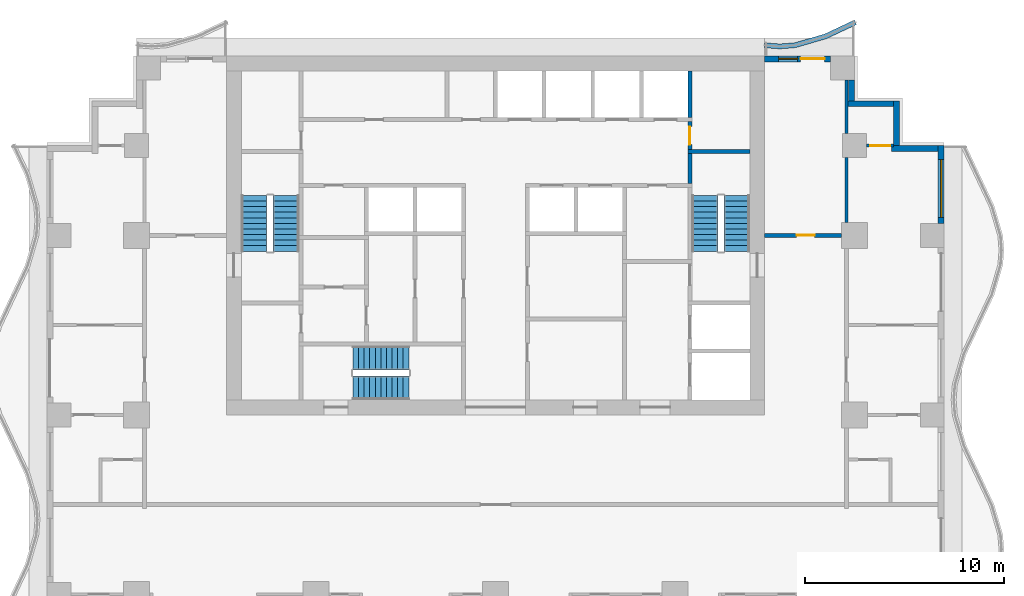
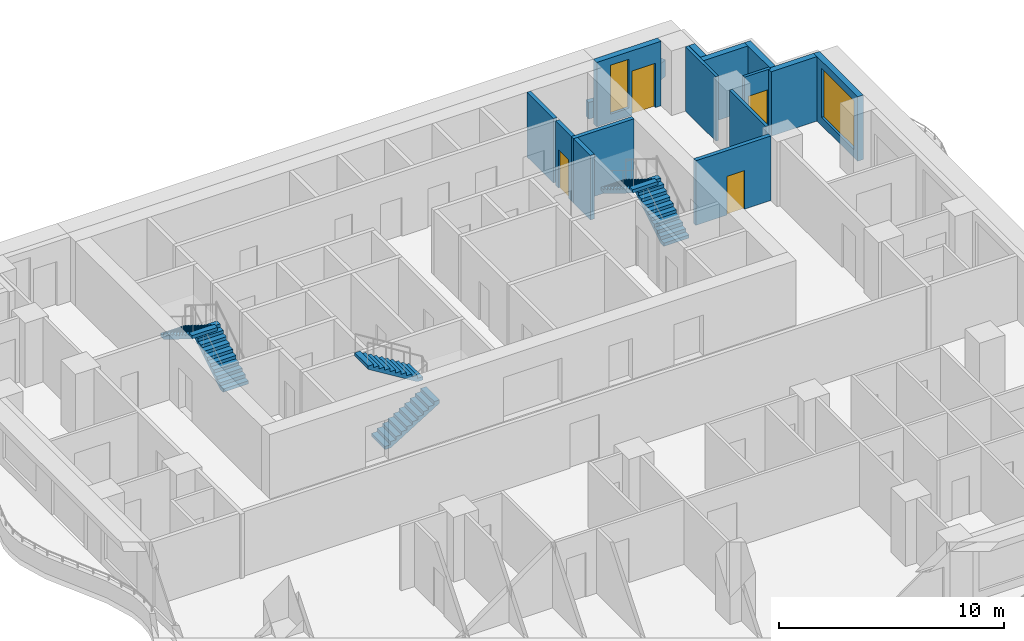
# One storey, part 6 of 10: 15 walls, 6 stair flights, 4 doors, 2 windows, 6 openings, 3 elements without a shape of their own.
"""IFC4 building model written with IfcOpenShell, lengths in metres."""

from ifc_helpers import new_model, si_unit, direction, frame, frame_2d, origin, place, context, subcontext, project, spatial, polyline, rectangle, outline, extrude, material, layer, layer_set, type_object, element, fill, aggregate, save


model = new_model("IFC4")

# Units and contexts
model_context = context("Model", 3, precision=1e-05, world=origin(), true_north=direction((0.0, 1.0)))
body_context = subcontext(model_context, "Body", "Model", "MODEL_VIEW")
ifc_project = project(units=[si_unit("LENGTHUNIT", "METRE"), si_unit("AREAUNIT", "SQUARE_METRE"), si_unit("VOLUMEUNIT", "CUBIC_METRE"), si_unit("PLANEANGLEUNIT", "RADIAN"), si_unit("MASSUNIT", "GRAM", prefix="KILO")], contexts=[model_context])

# Site, building, storey
site_placement = place(None, origin())
site = spatial("IfcSite", under=ifc_project, at=site_placement, CompositionType="ELEMENT")
building_placement = place(site_placement, origin())
building = spatial("IfcBuilding", under=site, at=building_placement, Name="Orbiselva Terraces", CompositionType="ELEMENT")
storey_placement = place(building_placement, frame((0.0, 0.0, 128.8)))
storey = spatial("IfcBuildingStorey", under=building, at=storey_placement, Name="L32", CompositionType="ELEMENT", Elevation=128.8)

# Wall, opening, door
ifc_material_1 = material(Name="Masonry blockwork", Category="masonry")
ifc_layer_1 = layer(ifc_material_1, 0.2)
ifc_layer_set_1 = layer_set([ifc_layer_1], Name="Masonry blockwork")
wall_type_1 = type_object("IfcWallType", Name="CORE-WALL-PARTITION-200", PredefinedType="PARTITIONING", material=ifc_layer_set_1)
wall_1_placement = place(storey_placement, frame((9.75, 19.2, 0.0), z_axis=(0.0, 0.0, 1.0), x_axis=(0.0, -1.0, 0.0)))
wall_1 = element("IfcWall", 1, at=wall_1_placement, inside=storey, type_object=wall_type_1, Name="L32 core wall 50", PredefinedType="PARTITIONING", context=body_context, shape_type="SweptSolid", body=[
    extrude(rectangle(XDim=1.4, YDim=0.2, at=frame_2d((0.7, 0.0))), origin(), (0.0, 0.0, 1.0), 3.5),
])
opening_1_placement = place(wall_1_placement, frame((0.25, 0.0, 0.0)))
opening_1 = element("IfcOpeningElement", 2, at=opening_1_placement, cuts=wall_1, Name="Opening DR900", PredefinedType="OPENING", context=body_context, shape_type="SweptSolid", body=[
    extrude(rectangle(XDim=0.9, YDim=2.1, at=frame_2d((0.45, 1.05))), frame((0.0, 0.11, 0.0), z_axis=(0.0, -1.0, 0.0), x_axis=(1.0, 0.0, 0.0)), (0.0, 0.0, 1.0), 0.22),
])
ifc_material_2 = material(Name="Steel fire door", Category="steel")
door_type_1 = type_object("IfcDoorType", Name="ROOM DOOR 900", OperationType="NOTDEFINED", PredefinedType="DOOR", material=ifc_material_2)
door_1_placement = place(opening_1_placement, origin())
door_1 = element("IfcDoor", 3, at=door_1_placement, inside=storey, type_object=door_type_1, Name="L32 ELECTRICAL RISER ROOM door", OperationType="SINGLE_SWING_RIGHT", OverallHeight=2.1, OverallWidth=0.9, PredefinedType="DOOR", context=body_context, shape_type="SweptSolid", body=[
    extrude(rectangle(XDim=0.9, YDim=2.1, at=frame_2d((0.45, 1.05))), frame((0.0, 0.025, 0.0), z_axis=(0.0, -1.0, 0.0), x_axis=(1.0, 0.0, 0.0)), (0.0, 0.0, 1.0), 0.05),
])
fill(opening_1, door_1)

# Walls
ifc_material_3 = material(Name="Concrete C40/50", Category="concrete")
ifc_layer_2 = layer(ifc_material_3, 0.2)
ifc_layer_set_2 = layer_set([ifc_layer_2], Name="Concrete C40/50")
wall_type_2 = type_object("IfcWallType", Name="CORE-WALL-SHAFT-200", PredefinedType="PARTITIONING", material=ifc_layer_set_2)
wall_2_placement = place(storey_placement, frame((9.75, 19.4, 0.0), z_axis=(0.0, 0.0, 1.0), x_axis=(0.0, 1.0, 0.0)))
element("IfcWall", 4, at=wall_2_placement, inside=storey, type_object=wall_type_2, Name="L32 core wall 51", PredefinedType="PARTITIONING", context=body_context, shape_type="SweptSolid", body=[
    extrude(rectangle(XDim=2.35, YDim=0.2, at=frame_2d((1.175, 0.0))), origin(), (0.0, 0.0, 1.0), 3.5),
])
ifc_material_4 = material(Name="Concrete C60/75", Category="concrete")
ifc_layer_3 = layer(ifc_material_4, 0.2)
ifc_layer_set_3 = layer_set([ifc_layer_3], Name="Concrete C60/75")
wall_type_3 = type_object("IfcWallType", Name="CORE-WALL-SHEAR-200", PredefinedType="SHEAR", material=ifc_layer_set_3)
wall_3_placement = place(storey_placement, frame((9.75, 16.1, 0.0), z_axis=(0.0, 0.0, 1.0), x_axis=(0.0, 1.0, 0.0)))
element("IfcWall", 5, at=wall_3_placement, inside=storey, type_object=wall_type_3, Name="L32 core wall 48", PredefinedType="SHEAR", context=body_context, shape_type="SweptSolid", body=[
    extrude(rectangle(XDim=1.5, YDim=0.2, at=frame_2d((0.75, 0.0))), origin(), (0.0, 0.0, 1.0), 3.5),
])
wall_4_placement = place(storey_placement, frame((9.65, 17.7, 0.0), z_axis=(0.0, 0.0, 1.0), x_axis=(1.0, 0.0, 0.0)))
element("IfcWall", 6, at=wall_4_placement, inside=storey, type_object=wall_type_3, Name="L32 core wall 49", PredefinedType="SHEAR", context=body_context, shape_type="SweptSolid", body=[
    extrude(rectangle(XDim=3.1, YDim=0.2, at=frame_2d((1.55, 0.0))), origin(), (0.0, 0.0, 1.0), 3.5),
])
ifc_layer_4 = layer(ifc_material_3, 0.25)
ifc_layer_set_4 = layer_set([ifc_layer_4], Name="Concrete C40/50")
wall_type_4 = type_object("IfcWallType", Name="ENV-PLANTER-250x900", PredefinedType="USERDEFINED", material=ifc_layer_set_4)
wall_5_placement = place(storey_placement, origin())
element("IfcWall", 7, at=wall_5_placement, inside=storey, type_object=wall_type_4, Name="Balcony planter L32 NE", ObjectType="PLANTER", PredefinedType="USERDEFINED", context=body_context, shape_type="SweptSolid", body=[
    extrude(outline(polyline([(18.0, 24.3), (16.5, 23.594658), (15.0, 23.158732), (14.25, 23.1), (13.5, 23.158732), (13.480482, 22.909495), (14.25, 22.849235), (15.045114, 22.911499), (16.588618, 23.360069), (18.106383, 24.073764), (18.0, 24.3)])), origin(), (0.0, 0.0, 1.0), 0.9),
])

# Wall, opening, window
ifc_material_5 = material(Name="Terracotta cladding on masonry backing", Category="masonry")
ifc_layer_5 = layer(ifc_material_5, 0.3)
ifc_layer_set_5 = layer_set([ifc_layer_5], Name="Terracotta cladding on masonry backing")
wall_type_5 = type_object("IfcWallType", Name="ENV-WALL-TERRACOTTA-300", PredefinedType="SOLIDWALL", material=ifc_layer_set_5)
wall_6_placement = place(storey_placement, frame((22.35, 18.0, 0.0), z_axis=(0.0, 0.0, 1.0), x_axis=(0.0, -1.0, 0.0)))
wall_6 = element("IfcWall", 8, at=wall_6_placement, inside=storey, type_object=wall_type_5, Name="Facade wall L32 E", PredefinedType="SOLIDWALL", context=body_context, shape_type="SweptSolid", body=[
    extrude(rectangle(XDim=3.9, YDim=0.3, at=frame_2d((1.95, 0.0))), origin(), (0.0, 0.0, 1.0), 3.5),
])
opening_2_placement = place(wall_6_placement, frame((0.7, 0.0, 0.45)))
opening_2 = element("IfcOpeningElement", 9, at=opening_2_placement, cuts=wall_6, Name="Opening WN8", PredefinedType="OPENING", context=body_context, shape_type="SweptSolid", body=[
    extrude(rectangle(XDim=2.9, YDim=2.65, at=frame_2d((1.45, 1.325))), frame((0.0, 0.16, 0.0), z_axis=(0.0, -1.0, 0.0), x_axis=(1.0, 0.0, 0.0)), (0.0, 0.0, 1.0), 0.32),
])
ifc_material_6 = material(Name="Clear low-e glazing in aluminium frame", Category="aluminium")
window_type_1 = type_object("IfcWindowType", Name="WINDOW 2900 X 2650 S450", PartitioningType="TRIPLE_PANEL_VERTICAL", PredefinedType="WINDOW", material=ifc_material_6)
window_1_placement = place(opening_2_placement, origin())
window_1 = element("IfcWindow", 10, at=window_1_placement, inside=storey, type_object=window_type_1, Name="Window L32 E", OverallHeight=2.65, OverallWidth=2.9, PartitioningType="SINGLE_PANEL", PredefinedType="WINDOW", context=body_context, shape_type="SweptSolid", body=[
    extrude(rectangle(XDim=2.9, YDim=2.65, at=frame_2d((1.45, 1.325))), frame((0.0, 0.03, 0.0), z_axis=(0.0, -1.0, 0.0), x_axis=(1.0, 0.0, 0.0)), (0.0, 0.0, 1.0), 0.06),
])
fill(opening_2, window_1)

# Walls
wall_7_placement = place(storey_placement, frame((19.85, 17.85, 0.0), z_axis=(0.0, 0.0, 1.0), x_axis=(1.0, 0.0, 0.0)))
element("IfcWall", 11, at=wall_7_placement, inside=storey, type_object=wall_type_5, Name="Facade wall L32 STEP", PredefinedType="SOLIDWALL", context=body_context, shape_type="SweptSolid", body=[
    extrude(rectangle(XDim=2.35, YDim=0.3, at=frame_2d((1.175, 0.0))), origin(), (0.0, 0.0, 1.0), 3.5),
])
wall_8_placement = place(storey_placement, frame((20.1, 20.25, 0.0), z_axis=(0.0, 0.0, 1.0), x_axis=(0.0, -1.0, 0.0)))
element("IfcWall", 12, at=wall_8_placement, inside=storey, type_object=wall_type_5, Name="Facade wall L32 STEP", PredefinedType="SOLIDWALL", context=body_context, shape_type="SweptSolid", body=[
    extrude(rectangle(XDim=2.25, YDim=0.3, at=frame_2d((1.125, 0.0))), origin(), (0.0, 0.0, 1.0), 3.5),
])
wall_9_placement = place(storey_placement, frame((17.6, 20.1, 0.0), z_axis=(0.0, 0.0, 1.0), x_axis=(1.0, 0.0, 0.0)))
element("IfcWall", 13, at=wall_9_placement, inside=storey, type_object=wall_type_5, Name="Facade wall L32 STEP", PredefinedType="SOLIDWALL", context=body_context, shape_type="SweptSolid", body=[
    extrude(rectangle(XDim=2.35, YDim=0.3, at=frame_2d((1.175, 0.0))), origin(), (0.0, 0.0, 1.0), 3.5),
])
wall_10_placement = place(storey_placement, frame((17.85, 21.3, 0.0), z_axis=(0.0, 0.0, 1.0), x_axis=(0.0, -1.0, 0.0)))
element("IfcWall", 14, at=wall_10_placement, inside=storey, type_object=wall_type_5, Name="Facade wall L32 STEP", PredefinedType="SOLIDWALL", context=body_context, shape_type="SweptSolid", body=[
    extrude(rectangle(XDim=1.05, YDim=0.3, at=frame_2d((0.525, 0.0))), origin(), (0.0, 0.0, 1.0), 3.5),
])

# Wall, openings, door, window
wall_11_placement = place(storey_placement, frame((13.5, 22.35, 0.0), z_axis=(0.0, 0.0, 1.0), x_axis=(1.0, 0.0, 0.0)))
wall_11 = element("IfcWall", 15, at=wall_11_placement, inside=storey, type_object=wall_type_5, Name="Facade wall L32 NE", PredefinedType="SOLIDWALL", context=body_context, shape_type="SweptSolid", body=[
    extrude(rectangle(XDim=3.3, YDim=0.3, at=frame_2d((1.65, 0.0))), origin(), (0.0, 0.0, 1.0), 3.5),
])
opening_3_placement = place(wall_11_placement, frame((1.8, 0.0, 0.0)))
opening_3 = element("IfcOpeningElement", 16, at=opening_3_placement, cuts=wall_11, Name="Opening Z3-A-E14", PredefinedType="OPENING", context=body_context, shape_type="SweptSolid", body=[
    extrude(rectangle(XDim=1.2, YDim=2.4, at=frame_2d((0.6, 1.2))), frame((0.0, 0.16, 0.0), z_axis=(0.0, -1.0, 0.0), x_axis=(1.0, 0.0, 0.0)), (0.0, 0.0, 1.0), 0.32),
])
opening_4_placement = place(wall_11_placement, frame((0.7, 0.0, 0.45)))
opening_4 = element("IfcOpeningElement", 17, at=opening_4_placement, cuts=wall_11, Name="Opening WN9", PredefinedType="OPENING", context=body_context, shape_type="SweptSolid", body=[
    extrude(rectangle(XDim=0.95, YDim=2.65, at=frame_2d((0.475, 1.325))), frame((0.0, 0.16, 0.0), z_axis=(0.0, -1.0, 0.0), x_axis=(1.0, 0.0, 0.0)), (0.0, 0.0, 1.0), 0.32),
])
door_type_2 = type_object("IfcDoorType", Name="BALCONY DOOR 1200 X 2400", OperationType="DOUBLE_DOOR_SLIDING", PredefinedType="DOOR", material=ifc_material_6)
door_2_placement = place(opening_3_placement, origin())
door_2 = element("IfcDoor", 18, at=door_2_placement, inside=storey, type_object=door_type_2, Name="Z3-A-E14", OperationType="SINGLE_SWING_LEFT", OverallHeight=2.4, OverallWidth=1.2, PredefinedType="DOOR", context=body_context, shape_type="SweptSolid", body=[
    extrude(rectangle(XDim=1.2, YDim=2.4, at=frame_2d((0.6, 1.2))), frame((0.0, 0.025, 0.0), z_axis=(0.0, -1.0, 0.0), x_axis=(1.0, 0.0, 0.0)), (0.0, 0.0, 1.0), 0.05),
])
fill(opening_3, door_2)
window_type_2 = type_object("IfcWindowType", Name="WINDOW 950 X 2650 S450", PartitioningType="TRIPLE_PANEL_VERTICAL", PredefinedType="WINDOW", material=ifc_material_6)
window_2_placement = place(opening_4_placement, origin())
window_2 = element("IfcWindow", 19, at=window_2_placement, inside=storey, type_object=window_type_2, Name="Window L32 NE", OverallHeight=2.65, OverallWidth=0.95, PartitioningType="SINGLE_PANEL", PredefinedType="WINDOW", context=body_context, shape_type="SweptSolid", body=[
    extrude(rectangle(XDim=0.95, YDim=2.65, at=frame_2d((0.475, 1.325))), frame((0.0, 0.03, 0.0), z_axis=(0.0, -1.0, 0.0), x_axis=(1.0, 0.0, 0.0)), (0.0, 0.0, 1.0), 0.06),
])
fill(opening_4, window_2)

# Wall, opening, door
ifc_material_7 = material(Name="Plasterboard on steel stud partition", Category="steel")
ifc_layer_6 = layer(ifc_material_7, 0.2)
ifc_layer_set_6 = layer_set([ifc_layer_6], Name="Plasterboard on steel stud partition")
wall_type_6 = type_object("IfcWallType", Name="UNIT-ENTRANCE-WALL-200", PredefinedType="PARTITIONING", material=ifc_layer_set_6)
wall_12_placement = place(storey_placement, frame((13.5, 13.5, 0.0), z_axis=(0.0, 0.0, 1.0), x_axis=(1.0, 0.0, 0.0)))
wall_12 = element("IfcWall", 20, at=wall_12_placement, inside=storey, type_object=wall_type_6, Name="PARTITION L32-032", PredefinedType="PARTITIONING", context=body_context, shape_type="SweptSolid", body=[
    extrude(rectangle(XDim=3.85, YDim=0.2, at=frame_2d((1.925, 0.0))), origin(), (0.0, 0.0, 1.0), 3.5),
])
opening_5_placement = place(wall_12_placement, frame((1.6, 0.0, 0.0)))
opening_5 = element("IfcOpeningElement", 21, at=opening_5_placement, cuts=wall_12, Name="Opening Z3-A-02", PredefinedType="OPENING", context=body_context, shape_type="SweptSolid", body=[
    extrude(rectangle(XDim=0.9, YDim=2.1, at=frame_2d((0.45, 1.05))), frame((0.0, 0.11, 0.0), z_axis=(0.0, -1.0, 0.0), x_axis=(1.0, 0.0, 0.0)), (0.0, 0.0, 1.0), 0.22),
])
ifc_material_8 = material(Name="Painted timber door leaf", Category="wood")
door_type_3 = type_object("IfcDoorType", Name="SERVICE DOOR 900", OperationType="NOTDEFINED", PredefinedType="DOOR", material=ifc_material_8)
door_3_placement = place(opening_5_placement, origin())
door_3 = element("IfcDoor", 22, at=door_3_placement, inside=storey, type_object=door_type_3, Name="Z3-A-02", OperationType="SINGLE_SWING_RIGHT", OverallHeight=2.1, OverallWidth=0.9, PredefinedType="DOOR", context=body_context, shape_type="SweptSolid", body=[
    extrude(rectangle(XDim=0.9, YDim=2.1, at=frame_2d((0.45, 1.05))), frame((0.0, 0.025, 0.0), z_axis=(0.0, -1.0, 0.0), x_axis=(1.0, 0.0, 0.0)), (0.0, 0.0, 1.0), 0.05),
])
fill(opening_5, door_3)

ifc_layer_7 = layer(ifc_material_7, 0.15)
ifc_layer_set_7 = layer_set([ifc_layer_7], Name="Plasterboard on steel stud partition")
wall_type_7 = type_object("IfcWallType", Name="UNIT-PARTITION-150", PredefinedType="PARTITIONING", material=ifc_layer_set_7)
wall_13_placement = place(storey_placement, frame((18.6, 18.0, 0.0), z_axis=(0.0, 0.0, 1.0), x_axis=(1.0, 0.0, 0.0)))
wall_13 = element("IfcWall", 23, at=wall_13_placement, inside=storey, type_object=wall_type_7, Name="PARTITION L32-034", PredefinedType="PARTITIONING", context=body_context, shape_type="SweptSolid", body=[
    extrude(rectangle(XDim=1.35, YDim=0.15, at=frame_2d((0.675, 0.0))), origin(), (0.0, 0.0, 1.0), 3.5),
])
opening_6_placement = place(wall_13_placement, frame((0.2, 0.0, 0.0)))
opening_6 = element("IfcOpeningElement", 24, at=opening_6_placement, cuts=wall_13, Name="Opening Z3-A-12", PredefinedType="OPENING", context=body_context, shape_type="SweptSolid", body=[
    extrude(rectangle(XDim=1.0, YDim=2.4, at=frame_2d((0.5, 1.2))), frame((0.0, 0.085, 0.0), z_axis=(0.0, -1.0, 0.0), x_axis=(1.0, 0.0, 0.0)), (0.0, 0.0, 1.0), 0.17),
])
door_type_4 = type_object("IfcDoorType", Name="ROOM DOOR 1000", OperationType="NOTDEFINED", PredefinedType="DOOR", material=ifc_material_8)
door_4_placement = place(opening_6_placement, origin())
door_4 = element("IfcDoor", 25, at=door_4_placement, inside=storey, type_object=door_type_4, Name="Z3-A-12", OperationType="SINGLE_SWING_RIGHT", OverallHeight=2.4, OverallWidth=1.0, PredefinedType="DOOR", context=body_context, shape_type="SweptSolid", body=[
    extrude(rectangle(XDim=1.0, YDim=2.4, at=frame_2d((0.5, 1.2))), frame((0.0, 0.025, 0.0), z_axis=(0.0, -1.0, 0.0), x_axis=(1.0, 0.0, 0.0)), (0.0, 0.0, 1.0), 0.05),
])
fill(opening_6, door_4)

# Walls
wall_14_placement = place(storey_placement, frame((17.6, 14.15, 0.0), z_axis=(0.0, 0.0, 1.0), x_axis=(0.0, 1.0, 0.0)))
element("IfcWall", 26, at=wall_14_placement, inside=storey, type_object=wall_type_7, Name="PARTITION L32-060", PredefinedType="PARTITIONING", context=body_context, shape_type="SweptSolid", body=[
    extrude(rectangle(XDim=3.25, YDim=0.15, at=frame_2d((1.625, 0.0))), origin(), (0.0, 0.0, 1.0), 3.5),
])
wall_15_placement = place(storey_placement, frame((17.6, 18.6, 0.0), z_axis=(0.0, 0.0, 1.0), x_axis=(0.0, 1.0, 0.0)))
element("IfcWall", 27, at=wall_15_placement, inside=storey, type_object=wall_type_7, Name="PARTITION L32-061", PredefinedType="PARTITIONING", context=body_context, shape_type="SweptSolid", body=[
    extrude(rectangle(XDim=2.7, YDim=0.15, at=frame_2d((1.35, 0.0))), origin(), (0.0, 0.0, 1.0), 3.5),
])

# Stair, stair flights
stair_type_1 = type_object("IfcStairType", Name="CORE-STAIR-1200", PredefinedType="HALF_TURN_STAIR", material=ifc_material_3)
stair_1_placement = place(storey_placement, origin())
stair_1 = element("IfcStair", 28, at=stair_1_placement, inside=storey, type_object=stair_type_1, Name="L32 Exit Stair S3", PredefinedType="HALF_TURN_STAIR")
stair_flight_type_1 = type_object("IfcStairFlightType", Name="CORE-STAIR-FLIGHT-1200", PredefinedType="STRAIGHT", material=ifc_material_3)
stair_flight_1_placement = place(storey_placement, frame((-7.15, 5.85, 0.0), z_axis=(0.0, 0.0, 1.0), x_axis=(1.0, 0.0, 0.0)))
stair_flight_1 = element("IfcStairFlight", 29, at=stair_flight_1_placement, type_object=stair_flight_type_1, Name="S3 flight 1", NumberOfRisers=11, NumberOfTreads=10, PredefinedType="STRAIGHT", RiserHeight=0.172727273, TreadLength=0.28, context=body_context, shape_type="SweptSolid", body=[
    extrude(outline(polyline([(0.0, 0.0), (0.0, 0.172727), (0.28, 0.172727), (0.28, 0.345455), (0.56, 0.345455), (0.56, 0.518182), (0.84, 0.518182), (0.84, 0.690909), (1.12, 0.690909), (1.12, 0.863636), (1.4, 0.863636), (1.4, 1.036364), (1.68, 1.036364), (1.68, 1.209091), (1.96, 1.209091), (1.96, 1.381818), (2.24, 1.381818), (2.24, 1.554545), (2.52, 1.554545), (2.52, 1.727273), (2.8, 1.727273), (2.8, 1.9), (2.8, 1.551028), (0.285702, 0.0), (0.0, 0.0)])), frame((0.0, 0.6, 0.0), z_axis=(0.0, -1.0, 0.0), x_axis=(1.0, 0.0, 0.0)), (0.0, 0.0, 1.0), 1.2),
])
stair_flight_2_placement = place(storey_placement, frame((-4.35, 7.35, 1.9), z_axis=(0.0, 0.0, 1.0), x_axis=(-1.0, 0.0, 0.0)))
stair_flight_2 = element("IfcStairFlight", 30, at=stair_flight_2_placement, type_object=stair_flight_type_1, Name="S3 flight 2", NumberOfRisers=11, NumberOfTreads=10, PredefinedType="STRAIGHT", RiserHeight=0.172727273, TreadLength=0.28, context=body_context, shape_type="SweptSolid", body=[
    extrude(outline(polyline([(0.0, 0.0), (0.0, 0.172727), (0.28, 0.172727), (0.28, 0.345455), (0.56, 0.345455), (0.56, 0.518182), (0.84, 0.518182), (0.84, 0.690909), (1.12, 0.690909), (1.12, 0.863636), (1.4, 0.863636), (1.4, 1.036364), (1.68, 1.036364), (1.68, 1.209091), (1.96, 1.209091), (1.96, 1.381818), (2.24, 1.381818), (2.24, 1.554545), (2.52, 1.554545), (2.52, 1.727273), (2.8, 1.727273), (2.8, 1.9), (2.8, 1.551028), (0.285702, 0.0), (0.0, 0.0)])), frame((0.0, 0.6, 0.0), z_axis=(0.0, -1.0, 0.0), x_axis=(1.0, 0.0, 0.0)), (0.0, 0.0, 1.0), 1.2),
])
aggregate(stair_1, [stair_flight_1, stair_flight_2])

stair_type_2 = type_object("IfcStairType", Name="CORE-STAIR-1300", PredefinedType="HALF_TURN_STAIR", material=ifc_material_3)
stair_2_placement = place(storey_placement, origin())
stair_2 = element("IfcStair", 31, at=stair_2_placement, inside=storey, type_object=stair_type_2, Name="L32 Exit Stair S1", PredefinedType="HALF_TURN_STAIR")
stair_flight_type_2 = type_object("IfcStairFlightType", Name="CORE-STAIR-FLIGHT-1300", PredefinedType="STRAIGHT", material=ifc_material_3)
stair_flight_3_placement = place(storey_placement, frame((-10.5, 12.7, 0.0), z_axis=(0.0, 0.0, 1.0), x_axis=(0.0, 1.0, 0.0)))
stair_flight_3 = element("IfcStairFlight", 32, at=stair_flight_3_placement, type_object=stair_flight_type_2, Name="S1 flight 1", NumberOfRisers=11, NumberOfTreads=10, PredefinedType="STRAIGHT", RiserHeight=0.172727273, TreadLength=0.28, context=body_context, shape_type="SweptSolid", body=[
    extrude(outline(polyline([(0.0, 0.0), (0.0, 0.172727), (0.28, 0.172727), (0.28, 0.345455), (0.56, 0.345455), (0.56, 0.518182), (0.84, 0.518182), (0.84, 0.690909), (1.12, 0.690909), (1.12, 0.863636), (1.4, 0.863636), (1.4, 1.036364), (1.68, 1.036364), (1.68, 1.209091), (1.96, 1.209091), (1.96, 1.381818), (2.24, 1.381818), (2.24, 1.554545), (2.52, 1.554545), (2.52, 1.727273), (2.8, 1.727273), (2.8, 1.9), (2.8, 1.551028), (0.285702, 0.0), (0.0, 0.0)])), frame((0.0, 0.65, 0.0), z_axis=(0.0, -1.0, 0.0), x_axis=(1.0, 0.0, 0.0)), (0.0, 0.0, 1.0), 1.3),
])
stair_flight_4_placement = place(storey_placement, frame((-12.1, 15.5, 1.9), z_axis=(0.0, 0.0, 1.0), x_axis=(0.0, -1.0, 0.0)))
stair_flight_4 = element("IfcStairFlight", 33, at=stair_flight_4_placement, type_object=stair_flight_type_2, Name="S1 flight 2", NumberOfRisers=11, NumberOfTreads=10, PredefinedType="STRAIGHT", RiserHeight=0.172727273, TreadLength=0.28, context=body_context, shape_type="SweptSolid", body=[
    extrude(outline(polyline([(0.0, 0.0), (0.0, 0.172727), (0.28, 0.172727), (0.28, 0.345455), (0.56, 0.345455), (0.56, 0.518182), (0.84, 0.518182), (0.84, 0.690909), (1.12, 0.690909), (1.12, 0.863636), (1.4, 0.863636), (1.4, 1.036364), (1.68, 1.036364), (1.68, 1.209091), (1.96, 1.209091), (1.96, 1.381818), (2.24, 1.381818), (2.24, 1.554545), (2.52, 1.554545), (2.52, 1.727273), (2.8, 1.727273), (2.8, 1.9), (2.8, 1.551028), (0.285702, 0.0), (0.0, 0.0)])), frame((0.0, 0.65, 0.0), z_axis=(0.0, -1.0, 0.0), x_axis=(1.0, 0.0, 0.0)), (0.0, 0.0, 1.0), 1.3),
])
aggregate(stair_2, [stair_flight_3, stair_flight_4])

stair_3_placement = place(storey_placement, origin())
stair_3 = element("IfcStair", 34, at=stair_3_placement, inside=storey, type_object=stair_type_2, Name="L32 Exit Stair S2", PredefinedType="HALF_TURN_STAIR")
stair_flight_5_placement = place(storey_placement, frame((12.1, 12.7, 0.0), z_axis=(0.0, 0.0, 1.0), x_axis=(0.0, 1.0, 0.0)))
stair_flight_5 = element("IfcStairFlight", 35, at=stair_flight_5_placement, type_object=stair_flight_type_2, Name="S2 flight 1", NumberOfRisers=11, NumberOfTreads=10, PredefinedType="STRAIGHT", RiserHeight=0.172727273, TreadLength=0.28, context=body_context, shape_type="SweptSolid", body=[
    extrude(outline(polyline([(0.0, 0.0), (0.0, 0.172727), (0.28, 0.172727), (0.28, 0.345455), (0.56, 0.345455), (0.56, 0.518182), (0.84, 0.518182), (0.84, 0.690909), (1.12, 0.690909), (1.12, 0.863636), (1.4, 0.863636), (1.4, 1.036364), (1.68, 1.036364), (1.68, 1.209091), (1.96, 1.209091), (1.96, 1.381818), (2.24, 1.381818), (2.24, 1.554545), (2.52, 1.554545), (2.52, 1.727273), (2.8, 1.727273), (2.8, 1.9), (2.8, 1.551028), (0.285702, 0.0), (0.0, 0.0)])), frame((0.0, 0.65, 0.0), z_axis=(0.0, -1.0, 0.0), x_axis=(1.0, 0.0, 0.0)), (0.0, 0.0, 1.0), 1.3),
])
stair_flight_6_placement = place(storey_placement, frame((10.5, 15.5, 1.9), z_axis=(0.0, 0.0, 1.0), x_axis=(0.0, -1.0, 0.0)))
stair_flight_6 = element("IfcStairFlight", 36, at=stair_flight_6_placement, type_object=stair_flight_type_2, Name="S2 flight 2", NumberOfRisers=11, NumberOfTreads=10, PredefinedType="STRAIGHT", RiserHeight=0.172727273, TreadLength=0.28, context=body_context, shape_type="SweptSolid", body=[
    extrude(outline(polyline([(0.0, 0.0), (0.0, 0.172727), (0.28, 0.172727), (0.28, 0.345455), (0.56, 0.345455), (0.56, 0.518182), (0.84, 0.518182), (0.84, 0.690909), (1.12, 0.690909), (1.12, 0.863636), (1.4, 0.863636), (1.4, 1.036364), (1.68, 1.036364), (1.68, 1.209091), (1.96, 1.209091), (1.96, 1.381818), (2.24, 1.381818), (2.24, 1.554545), (2.52, 1.554545), (2.52, 1.727273), (2.8, 1.727273), (2.8, 1.9), (2.8, 1.551028), (0.285702, 0.0), (0.0, 0.0)])), frame((0.0, 0.65, 0.0), z_axis=(0.0, -1.0, 0.0), x_axis=(1.0, 0.0, 0.0)), (0.0, 0.0, 1.0), 1.3),
])
aggregate(stair_3, [stair_flight_5, stair_flight_6])

save(model, "model.ifc")
